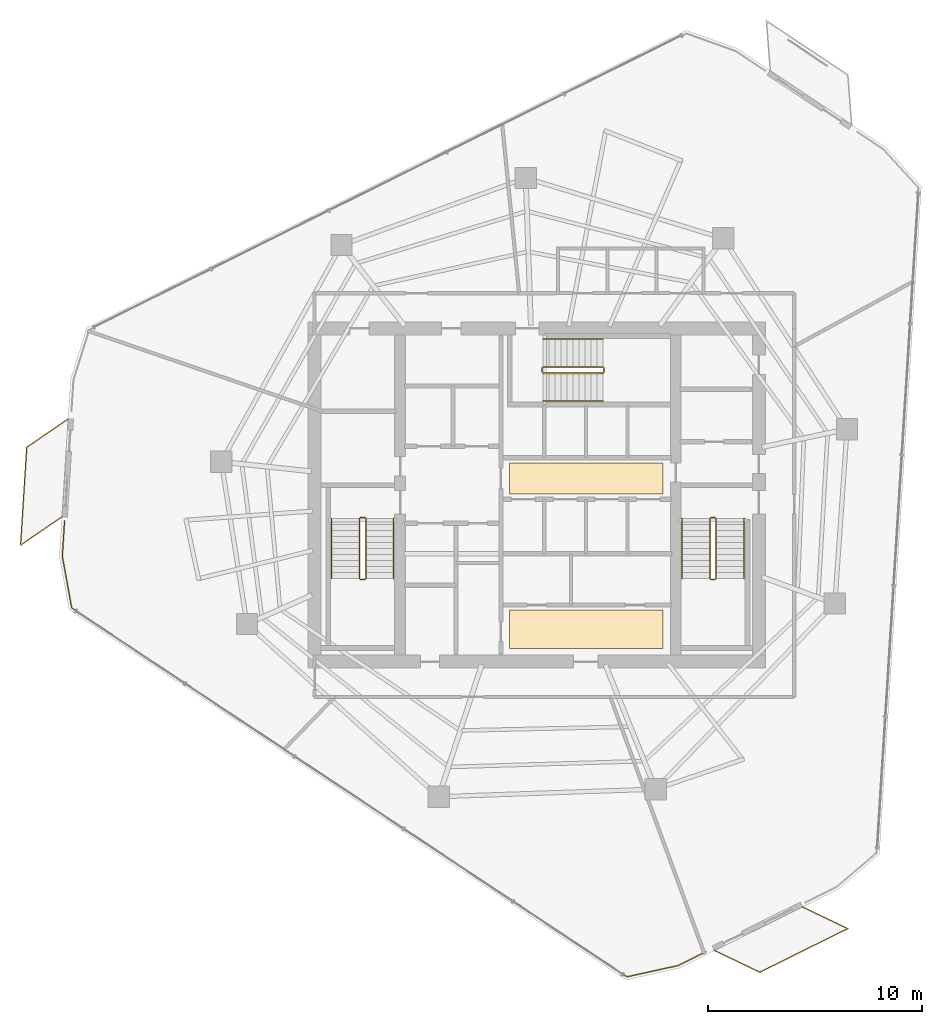
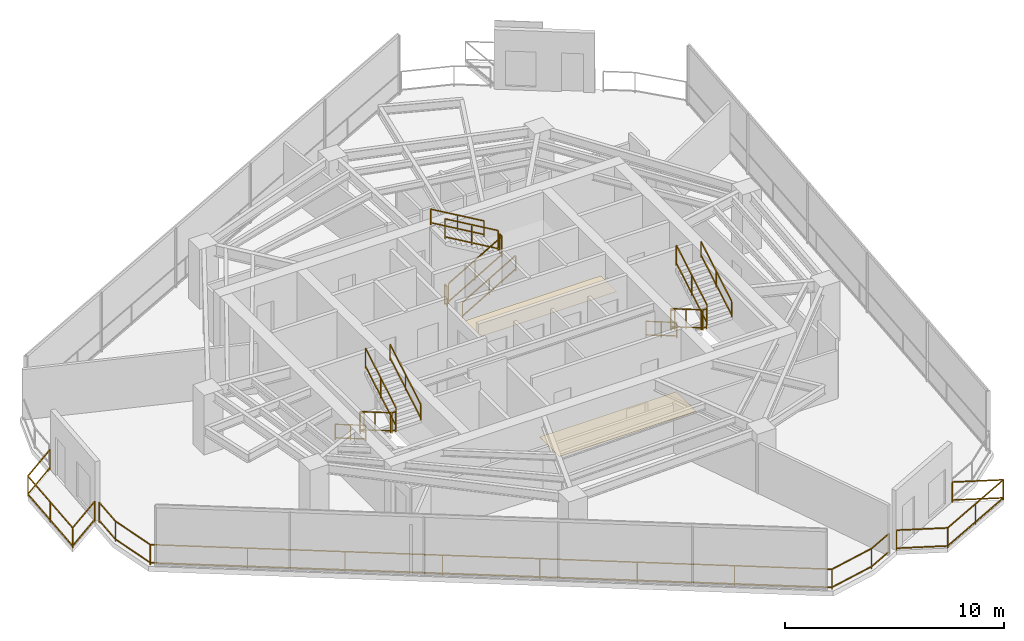
# One storey, part 20 of 21: 21 railings, 2 coverings.
"""IFC4 building model written with IfcOpenShell, lengths in metres."""

from ifc_helpers import new_model, si_unit, direction, frame, origin, origin_2d, place, context, subcontext, project, spatial, rectangle, extrude, material, layer, layer_set, type_object, element, save


model = new_model("IFC4")

# Units and contexts
model_context = context("Model", 3, precision=1e-05, world=origin(), true_north=direction((0.0, 1.0)))
body_context = subcontext(model_context, "Body", "Model", "MODEL_VIEW")
ifc_project = project(units=[si_unit("LENGTHUNIT", "METRE"), si_unit("AREAUNIT", "SQUARE_METRE"), si_unit("VOLUMEUNIT", "CUBIC_METRE"), si_unit("PLANEANGLEUNIT", "RADIAN"), si_unit("MASSUNIT", "GRAM", prefix="KILO")], contexts=[model_context])

# Site, building, storey
site_placement = place(None, origin())
site = spatial("IfcSite", under=ifc_project, at=site_placement, CompositionType="ELEMENT")
building_placement = place(site_placement, origin())
building = spatial("IfcBuilding", under=site, at=building_placement, Name="Qarnah Convention Tower", CompositionType="ELEMENT")
storey_placement = place(building_placement, frame((0.0, 0.0, 165.300048828125)))
storey = spatial("IfcBuildingStorey", under=building, at=storey_placement, Name="L44", CompositionType="ELEMENT", Elevation=165.300048828125)

# Coverings
ifc_material_1 = material(Name="Mineral fibre acoustic ceiling")
ifc_layer_1 = layer(ifc_material_1, 0.02001953125)
ifc_layer_set_1 = layer_set([ifc_layer_1], Name="Mineral fibre acoustic ceiling")
covering_type_1 = type_object("IfcCoveringType", Name="COV-CEIL-20", PredefinedType="CEILING", material=ifc_layer_set_1)
covering_1_placement = place(storey_placement, frame((39.52001953125, 27.179931640625, 2.2900390625), z_axis=(0.0, 0.0, 1.0), x_axis=(1.0, 0.0, 0.0)))
element("IfcCovering", 1, at=covering_1_placement, inside=storey, type_object=covering_type_1, Name="L44 lift lobby acoustic ceiling", PredefinedType="CEILING", context=body_context, shape_type="SweptSolid", body=[
    extrude(rectangle(XDim=7.199951171875, YDim=1.449951171875, at=origin_2d()), origin(), (0.0, 0.0, 1.0), 0.02001953125),
])
ifc_material_2 = material(Name="Porcelain stone floor tile", Category="masonry")
ifc_layer_2 = layer(ifc_material_2, 0.02001953125)
ifc_layer_set_2 = layer_set([ifc_layer_2], Name="Porcelain stone floor tile")
covering_type_2 = type_object("IfcCoveringType", Name="COV-FLOOR-20", PredefinedType="FLOORING", material=ifc_layer_set_2)
covering_2_placement = place(storey_placement, frame((39.52001953125, 20.1201171875, 0.0), z_axis=(0.0, 0.0, 1.0), x_axis=(1.0, 0.0, 0.0)))
element("IfcCovering", 2, at=covering_2_placement, inside=storey, type_object=covering_type_2, Name="L44 lift lobby porcelain stone flooring", PredefinedType="FLOORING", context=body_context, shape_type="SweptSolid", body=[
    extrude(rectangle(XDim=7.199951171875, YDim=1.800048828125, at=origin_2d()), origin(), (0.0, 0.0, 1.0), 0.02001953125),
])

# Railings
ifc_material_3 = material(Name="Black anodised aluminium", Category="aluminium")
railing_type_1 = type_object("IfcRailingType", Name="RL-EXT-GUARD-1150", PredefinedType="GUARDRAIL", material=ifc_material_3)
railing_1_placement = place(storey_placement, frame((45.12109375, 5.02001953125, 0.0)))
element("IfcRailing", 3, at=railing_1_placement, inside=storey, type_object=railing_type_1, Name="L44 slab-edge perimeter safety guard 03", PredefinedType="GUARDRAIL", context=body_context, shape_type="SweptSolid", body=[
    extrude(rectangle(XDim=0.048095703125, YDim=0.048095703125, at=origin_2d()), frame((0.0, 0.0, 1.1259765625), z_axis=(-0.895829303008, -0.444398312184, 0.0), x_axis=(0.444398312184, -0.895829303008, 0.0)), (0.0, 0.0, 1.0), 1.4580078125),
    extrude(rectangle(XDim=0.048095703125, YDim=0.048095703125, at=origin_2d()), frame((0.0, 0.0, 0.1201171875), z_axis=(-0.895829303008, -0.444398312184, 0.0), x_axis=(0.444398312184, -0.895829303008, 0.0)), (0.0, 0.0, 1.0), 1.4580078125),
    extrude(rectangle(XDim=0.048095703125, YDim=0.048095703125, at=origin_2d()), frame((-1.30615234375, -0.64794921875, 1.1259765625), z_axis=(-0.976651578651, -0.214829453097, 0.0), x_axis=(0.214829453097, -0.976651578651, 0.0)), (0.0, 0.0, 1.0), 2.448974609375),
    extrude(rectangle(XDim=0.048095703125, YDim=0.048095703125, at=origin_2d()), frame((-1.30615234375, -0.64794921875, 0.1201171875), z_axis=(-0.976651578651, -0.214829453097, 0.0), x_axis=(0.214829453097, -0.976651578651, 0.0)), (0.0, 0.0, 1.0), 2.448974609375),
    extrude(rectangle(XDim=0.048095703125, YDim=0.048095703125, at=origin_2d()), frame((-3.697998046875, -1.174072265625, 1.1259765625), z_axis=(-0.832918248037, 0.553396053552, 0.0), x_axis=(-0.553396053552, -0.832918248037, 0.0)), (0.0, 0.0, 1.0), 31.207275390625),
    extrude(rectangle(XDim=0.048095703125, YDim=0.048095703125, at=origin_2d()), frame((-3.697998046875, -1.174072265625, 0.1201171875), z_axis=(-0.832918248037, 0.553396053552, 0.0), x_axis=(-0.553396053552, -0.832918248037, 0.0)), (0.0, 0.0, 1.0), 31.207275390625),
    extrude(rectangle(XDim=0.048095703125, YDim=0.048095703125, at=origin_2d()), frame((-29.691162109375, 16.095947265625, 1.1259765625), z_axis=(-0.180499923672, 0.983574998439, 0.0), x_axis=(-0.983574998439, -0.180499923672, 0.0)), (0.0, 0.0, 1.0), 2.4482421875),
    extrude(rectangle(XDim=0.048095703125, YDim=0.048095703125, at=origin_2d()), frame((-29.691162109375, 16.095947265625, 0.1201171875), z_axis=(-0.180499923672, 0.983574998439, 0.0), x_axis=(-0.983574998439, -0.180499923672, 0.0)), (0.0, 0.0, 1.0), 2.4482421875),
    extrude(rectangle(XDim=0.048095703125, YDim=0.048095703125, at=origin_2d()), frame((-30.133056640625, 18.50390625, 1.1259765625), z_axis=(0.062851470926, 0.998022891823, 0.0), x_axis=(-0.998022891823, 0.062851470926, 0.0)), (0.0, 0.0, 1.0), 1.67041015625),
    extrude(rectangle(XDim=0.048095703125, YDim=0.048095703125, at=origin_2d()), frame((-30.133056640625, 18.50390625, 0.1201171875), z_axis=(0.062851470926, 0.998022891823, 0.0), x_axis=(-0.998022891823, 0.062851470926, 0.0)), (0.0, 0.0, 1.0), 1.67041015625),
    extrude(rectangle(XDim=0.0419921875, YDim=0.0419921875, at=origin_2d()), origin(), (0.0, 0.0, 1.0), 1.101806640625),
    extrude(rectangle(XDim=0.0419921875, YDim=0.0419921875, at=origin_2d()), frame((-1.30615234375, -0.64794921875, 0.0)), (0.0, 0.0, 1.0), 1.101806640625),
    extrude(rectangle(XDim=0.0419921875, YDim=0.0419921875, at=origin_2d()), frame((-3.697998046875, -1.174072265625, 0.0)), (0.0, 0.0, 1.0), 1.101806640625),
    extrude(rectangle(XDim=0.0419921875, YDim=0.0419921875, at=origin_2d()), frame((-7.411376953125, 1.29296875, 0.0)), (0.0, 0.0, 1.0), 1.101806640625),
    extrude(rectangle(XDim=0.0419921875, YDim=0.0419921875, at=origin_2d()), frame((-11.12451171875, 3.76025390625, 0.0)), (0.0, 0.0, 1.0), 1.101806640625),
    extrude(rectangle(XDim=0.0419921875, YDim=0.0419921875, at=origin_2d()), frame((-14.837890625, 6.227294921875, 0.0)), (0.0, 0.0, 1.0), 1.101806640625),
    extrude(rectangle(XDim=0.0419921875, YDim=0.0419921875, at=origin_2d()), frame((-18.55126953125, 8.694580078125, 0.0)), (0.0, 0.0, 1.0), 1.101806640625),
    extrude(rectangle(XDim=0.0419921875, YDim=0.0419921875, at=origin_2d()), frame((-22.2646484375, 11.16162109375, 0.0)), (0.0, 0.0, 1.0), 1.101806640625),
    extrude(rectangle(XDim=0.0419921875, YDim=0.0419921875, at=origin_2d()), frame((-25.977783203125, 13.62890625, 0.0)), (0.0, 0.0, 1.0), 1.101806640625),
    extrude(rectangle(XDim=0.0419921875, YDim=0.0419921875, at=origin_2d()), frame((-29.691162109375, 16.095947265625, 0.0)), (0.0, 0.0, 1.0), 1.101806640625),
    extrude(rectangle(XDim=0.0419921875, YDim=0.0419921875, at=origin_2d()), frame((-30.133056640625, 18.50390625, 0.0)), (0.0, 0.0, 1.0), 1.101806640625),
    extrude(rectangle(XDim=0.0419921875, YDim=0.0419921875, at=origin_2d()), frame((-30.028076171875, 20.1708984375, 0.0)), (0.0, 0.0, 1.0), 1.101806640625),
])
railing_2_placement = place(storey_placement, frame((14.968994140625, 25.373046875, 0.0)))
element("IfcRailing", 4, at=railing_2_placement, inside=storey, type_object=railing_type_1, Name="L44 balcony safety guard BAL-L44-C2", PredefinedType="GUARDRAIL", context=body_context, shape_type="SweptSolid", body=[
    extrude(rectangle(XDim=0.048095703125, YDim=0.048095703125, at=origin_2d()), frame((0.0, 0.0, 1.1259765625), z_axis=(-0.825320012172, -0.564665279177, 0.0), x_axis=(0.564665279177, -0.825320012172, 0.0)), (0.0, 0.0, 1.0), 2.34814453125),
    extrude(rectangle(XDim=0.048095703125, YDim=0.048095703125, at=origin_2d()), frame((0.0, 0.0, 0.1201171875), z_axis=(-0.825320012172, -0.564665279177, 0.0), x_axis=(0.564665279177, -0.825320012172, 0.0)), (0.0, 0.0, 1.0), 2.34814453125),
    extrude(rectangle(XDim=0.048095703125, YDim=0.048095703125, at=origin_2d()), frame((-1.93798828125, -1.325927734375, 1.1259765625), z_axis=(0.062854196844, 0.998022720152, 0.0), x_axis=(-0.998022720152, 0.062854196844, 0.0)), (0.0, 0.0, 1.0), 4.598876953125),
    extrude(rectangle(XDim=0.048095703125, YDim=0.048095703125, at=origin_2d()), frame((-1.93798828125, -1.325927734375, 0.1201171875), z_axis=(0.062854196844, 0.998022720152, 0.0), x_axis=(-0.998022720152, 0.062854196844, 0.0)), (0.0, 0.0, 1.0), 4.598876953125),
    extrude(rectangle(XDim=0.048095703125, YDim=0.048095703125, at=origin_2d()), frame((-1.64892578125, 3.263916015625, 1.1259765625), z_axis=(0.824944941435, 0.565213095745, 0.0), x_axis=(-0.565213095745, 0.824944941435, 0.0)), (0.0, 0.0, 1.0), 2.34814453125),
    extrude(rectangle(XDim=0.048095703125, YDim=0.048095703125, at=origin_2d()), frame((-1.64892578125, 3.263916015625, 0.1201171875), z_axis=(0.824944941435, 0.565213095745, 0.0), x_axis=(-0.565213095745, 0.824944941435, 0.0)), (0.0, 0.0, 1.0), 2.34814453125),
    extrude(rectangle(XDim=0.0419921875, YDim=0.0419921875, at=origin_2d()), origin(), (0.0, 0.0, 1.0), 1.101806640625),
    extrude(rectangle(XDim=0.0419921875, YDim=0.0419921875, at=origin_2d()), frame((-1.93798828125, -1.325927734375, 0.0)), (0.0, 0.0, 1.0), 1.101806640625),
    extrude(rectangle(XDim=0.0419921875, YDim=0.0419921875, at=origin_2d()), frame((-1.79345703125, 0.968994140625, 0.0)), (0.0, 0.0, 1.0), 1.101806640625),
    extrude(rectangle(XDim=0.0419921875, YDim=0.0419921875, at=origin_2d()), frame((-1.64892578125, 3.263916015625, 0.0)), (0.0, 0.0, 1.0), 1.101806640625),
    extrude(rectangle(XDim=0.0419921875, YDim=0.0419921875, at=origin_2d()), frame((0.2880859375, 4.591064453125, 0.0)), (0.0, 0.0, 1.0), 1.101806640625),
])
railing_3_placement = place(storey_placement, frame((49.64697265625, 7.115966796875, 0.0)))
element("IfcRailing", 5, at=railing_3_placement, inside=storey, type_object=railing_type_1, Name="L44 balcony safety guard BAL-L44-C3", PredefinedType="GUARDRAIL", context=body_context, shape_type="SweptSolid", body=[
    extrude(rectangle(XDim=0.048095703125, YDim=0.048095703125, at=origin_2d()), frame((0.0, 0.0, 1.1259765625), z_axis=(0.901729049296, -0.432301655856, 0.0), x_axis=(0.432301655856, 0.901729049296, 0.0)), (0.0, 0.0, 1.0), 2.34765625),
    extrude(rectangle(XDim=0.048095703125, YDim=0.048095703125, at=origin_2d()), frame((0.0, 0.0, 0.1201171875), z_axis=(0.901729049296, -0.432301655856, 0.0), x_axis=(0.432301655856, 0.901729049296, 0.0)), (0.0, 0.0, 1.0), 2.34765625),
    extrude(rectangle(XDim=0.048095703125, YDim=0.048095703125, at=origin_2d()), frame((2.116943359375, -1.014892578125, 1.1259765625), z_axis=(-0.895708013187, -0.444642727494, 0.0), x_axis=(0.444642727494, -0.895708013187, 0.0)), (0.0, 0.0, 1.0), 4.599609375),
    extrude(rectangle(XDim=0.048095703125, YDim=0.048095703125, at=origin_2d()), frame((2.116943359375, -1.014892578125, 0.1201171875), z_axis=(-0.895708013187, -0.444642727494, 0.0), x_axis=(0.444642727494, -0.895708013187, 0.0)), (0.0, 0.0, 1.0), 4.599609375),
    extrude(rectangle(XDim=0.048095703125, YDim=0.048095703125, at=origin_2d()), frame((-2.0029296875, -3.06005859375, 1.1259765625), z_axis=(-0.901947651046, 0.431845382947, 0.0), x_axis=(-0.431845382947, -0.901947651046, 0.0)), (0.0, 0.0, 1.0), 2.348388671875),
    extrude(rectangle(XDim=0.048095703125, YDim=0.048095703125, at=origin_2d()), frame((-2.0029296875, -3.06005859375, 0.1201171875), z_axis=(-0.901947651046, 0.431845382947, 0.0), x_axis=(-0.431845382947, -0.901947651046, 0.0)), (0.0, 0.0, 1.0), 2.348388671875),
    extrude(rectangle(XDim=0.0419921875, YDim=0.0419921875, at=origin_2d()), origin(), (0.0, 0.0, 1.0), 1.101806640625),
    extrude(rectangle(XDim=0.0419921875, YDim=0.0419921875, at=origin_2d()), frame((2.116943359375, -1.014892578125, 0.0)), (0.0, 0.0, 1.0), 1.101806640625),
    extrude(rectangle(XDim=0.0419921875, YDim=0.0419921875, at=origin_2d()), frame((0.05712890625, -2.03759765625, 0.0)), (0.0, 0.0, 1.0), 1.101806640625),
    extrude(rectangle(XDim=0.0419921875, YDim=0.0419921875, at=origin_2d()), frame((-2.0029296875, -3.06005859375, 0.0)), (0.0, 0.0, 1.0), 1.101806640625),
    extrude(rectangle(XDim=0.0419921875, YDim=0.0419921875, at=origin_2d()), frame((-4.12109375, -2.0458984375, 0.0)), (0.0, 0.0, 1.0), 1.101806640625),
])
ifc_material_4 = material(Name="Structural steel S355JR", Category="steel")
railing_type_2 = type_object("IfcRailingType", Name="RL-STAIR-GUARD-1150", PredefinedType="GUARDRAIL", material=ifc_material_4)
railing_4_placement = place(storey_placement, frame((28.89990234375, 25.300048828125, 0.16357421875)))
element("IfcRailing", 6, at=railing_4_placement, inside=storey, type_object=railing_type_2, Name="L44 ST-1 stair guard 1", PredefinedType="GUARDRAIL", context=body_context, shape_type="SweptSolid", body=[
    extrude(rectangle(XDim=0.048095703125, YDim=0.048095703125, at=origin_2d()), frame((0.0, 0.0, 1.1259765625), z_axis=(0.0, -0.863360870873, 0.504586966384), x_axis=(1.0, 0.0, 0.0)), (0.0, 0.0, 1.0), 3.2431640625),
    extrude(rectangle(XDim=0.048095703125, YDim=0.048095703125, at=origin_2d()), frame((0.0, 0.0, 0.1201171875), z_axis=(0.0, -0.863360870873, 0.504586966384), x_axis=(1.0, 0.0, 0.0)), (0.0, 0.0, 1.0), 3.2431640625),
    extrude(rectangle(XDim=0.0419921875, YDim=0.0419921875, at=origin_2d()), origin(), (0.0, 0.0, 1.0), 1.101806640625),
    extrude(rectangle(XDim=0.0419921875, YDim=0.0419921875, at=origin_2d()), frame((0.0, -1.39990234375, 0.818359375)), (0.0, 0.0, 1.0), 1.101806640625),
    extrude(rectangle(XDim=0.0419921875, YDim=0.0419921875, at=origin_2d()), frame((0.0, -2.800048828125, 1.636474609375)), (0.0, 0.0, 1.0), 1.101806640625),
])
railing_5_placement = place(storey_placement, frame((28.949951171875, 22.449951171875, 1.800048828125)))
element("IfcRailing", 7, at=railing_5_placement, inside=storey, type_object=railing_type_2, Name="L44 ST-1 stair guard 2", PredefinedType="GUARDRAIL", context=body_context, shape_type="SweptSolid", body=[
    extrude(rectangle(XDim=0.048095703125, YDim=0.048095703125, at=origin_2d()), frame((0.0, 0.0, 1.1259765625), z_axis=(1.0, 0.0, 0.0), x_axis=(0.0, 1.0, 0.0)), (0.0, 0.0, 1.0), 0.199951171875),
    extrude(rectangle(XDim=0.048095703125, YDim=0.048095703125, at=origin_2d()), frame((0.0, 0.0, 0.1201171875), z_axis=(1.0, 0.0, 0.0), x_axis=(0.0, 1.0, 0.0)), (0.0, 0.0, 1.0), 0.199951171875),
    extrude(rectangle(XDim=0.0419921875, YDim=0.0419921875, at=origin_2d()), origin(), (0.0, 0.0, 1.0), 1.101806640625),
    extrude(rectangle(XDim=0.0419921875, YDim=0.0419921875, at=origin_2d()), frame((0.199951171875, 0.0, 0.0)), (0.0, 0.0, 1.0), 1.101806640625),
])
railing_6_placement = place(storey_placement, frame((29.199951171875, 22.5, 1.963623046875)))
element("IfcRailing", 8, at=railing_6_placement, inside=storey, type_object=railing_type_2, Name="L44 ST-1 stair guard 3", PredefinedType="GUARDRAIL", context=body_context, shape_type="SweptSolid", body=[
    extrude(rectangle(XDim=0.048095703125, YDim=0.048095703125, at=origin_2d()), frame((0.0, 0.0, 1.1259765625), z_axis=(0.0, 0.863393664356, 0.504530851732), x_axis=(-1.0, 0.0, 0.0)), (0.0, 0.0, 1.0), 3.2431640625),
    extrude(rectangle(XDim=0.048095703125, YDim=0.048095703125, at=origin_2d()), frame((0.0, 0.0, 0.1201171875), z_axis=(0.0, 0.863393664356, 0.504530851732), x_axis=(-1.0, 0.0, 0.0)), (0.0, 0.0, 1.0), 3.2431640625),
    extrude(rectangle(XDim=0.0419921875, YDim=0.0419921875, at=origin_2d()), origin(), (0.0, 0.0, 1.0), 1.101806640625),
    extrude(rectangle(XDim=0.0419921875, YDim=0.0419921875, at=origin_2d()), frame((0.0, 1.39990234375, 0.818115234375)), (0.0, 0.0, 1.0), 1.101806640625),
    extrude(rectangle(XDim=0.0419921875, YDim=0.0419921875, at=origin_2d()), frame((0.0, 2.800048828125, 1.63623046875)), (0.0, 0.0, 1.0), 1.101806640625),
])
railing_7_placement = place(storey_placement, frame((28.949951171875, 25.35009765625, 0.0)))
element("IfcRailing", 9, at=railing_7_placement, inside=storey, type_object=railing_type_2, Name="L44 ST-1 stair guard 4", PredefinedType="GUARDRAIL", context=body_context, shape_type="SweptSolid", body=[
    extrude(rectangle(XDim=0.048095703125, YDim=0.048095703125, at=origin_2d()), frame((0.0, 0.0, 1.1259765625), z_axis=(1.0, 0.0, 0.0), x_axis=(0.0, 1.0, 0.0)), (0.0, 0.0, 1.0), 0.199951171875),
    extrude(rectangle(XDim=0.048095703125, YDim=0.048095703125, at=origin_2d()), frame((0.0, 0.0, 0.1201171875), z_axis=(1.0, 0.0, 0.0), x_axis=(0.0, 1.0, 0.0)), (0.0, 0.0, 1.0), 0.199951171875),
    extrude(rectangle(XDim=0.0419921875, YDim=0.0419921875, at=origin_2d()), origin(), (0.0, 0.0, 1.0), 1.101806640625),
    extrude(rectangle(XDim=0.0419921875, YDim=0.0419921875, at=origin_2d()), frame((0.199951171875, 0.0, 0.0)), (0.0, 0.0, 1.0), 1.101806640625),
])
railing_8_placement = place(storey_placement, frame((45.300048828125, 25.300048828125, 0.16357421875)))
element("IfcRailing", 10, at=railing_8_placement, inside=storey, type_object=railing_type_2, Name="L44 ST-2 stair guard 1", PredefinedType="GUARDRAIL", context=body_context, shape_type="SweptSolid", body=[
    extrude(rectangle(XDim=0.048095703125, YDim=0.048095703125, at=origin_2d()), frame((0.0, 0.0, 1.1259765625), z_axis=(0.0, -0.863360870873, 0.504586966384), x_axis=(1.0, 0.0, 0.0)), (0.0, 0.0, 1.0), 3.2431640625),
    extrude(rectangle(XDim=0.048095703125, YDim=0.048095703125, at=origin_2d()), frame((0.0, 0.0, 0.1201171875), z_axis=(0.0, -0.863360870873, 0.504586966384), x_axis=(1.0, 0.0, 0.0)), (0.0, 0.0, 1.0), 3.2431640625),
    extrude(rectangle(XDim=0.0419921875, YDim=0.0419921875, at=origin_2d()), origin(), (0.0, 0.0, 1.0), 1.101806640625),
    extrude(rectangle(XDim=0.0419921875, YDim=0.0419921875, at=origin_2d()), frame((0.0, -1.39990234375, 0.818359375)), (0.0, 0.0, 1.0), 1.101806640625),
    extrude(rectangle(XDim=0.0419921875, YDim=0.0419921875, at=origin_2d()), frame((0.0, -2.800048828125, 1.636474609375)), (0.0, 0.0, 1.0), 1.101806640625),
])
railing_9_placement = place(storey_placement, frame((45.35009765625, 22.449951171875, 1.800048828125)))
element("IfcRailing", 11, at=railing_9_placement, inside=storey, type_object=railing_type_2, Name="L44 ST-2 stair guard 2", PredefinedType="GUARDRAIL", context=body_context, shape_type="SweptSolid", body=[
    extrude(rectangle(XDim=0.048095703125, YDim=0.048095703125, at=origin_2d()), frame((0.0, 0.0, 1.1259765625), z_axis=(1.0, 0.0, 0.0), x_axis=(0.0, 1.0, 0.0)), (0.0, 0.0, 1.0), 0.199951171875),
    extrude(rectangle(XDim=0.048095703125, YDim=0.048095703125, at=origin_2d()), frame((0.0, 0.0, 0.1201171875), z_axis=(1.0, 0.0, 0.0), x_axis=(0.0, 1.0, 0.0)), (0.0, 0.0, 1.0), 0.199951171875),
    extrude(rectangle(XDim=0.0419921875, YDim=0.0419921875, at=origin_2d()), origin(), (0.0, 0.0, 1.0), 1.101806640625),
    extrude(rectangle(XDim=0.0419921875, YDim=0.0419921875, at=origin_2d()), frame((0.199951171875, 0.0, 0.0)), (0.0, 0.0, 1.0), 1.101806640625),
])
railing_10_placement = place(storey_placement, frame((45.60009765625, 22.5, 1.963623046875)))
element("IfcRailing", 12, at=railing_10_placement, inside=storey, type_object=railing_type_2, Name="L44 ST-2 stair guard 3", PredefinedType="GUARDRAIL", context=body_context, shape_type="SweptSolid", body=[
    extrude(rectangle(XDim=0.048095703125, YDim=0.048095703125, at=origin_2d()), frame((0.0, 0.0, 1.1259765625), z_axis=(0.0, 0.863393664356, 0.504530851732), x_axis=(-1.0, 0.0, 0.0)), (0.0, 0.0, 1.0), 3.2431640625),
    extrude(rectangle(XDim=0.048095703125, YDim=0.048095703125, at=origin_2d()), frame((0.0, 0.0, 0.1201171875), z_axis=(0.0, 0.863393664356, 0.504530851732), x_axis=(-1.0, 0.0, 0.0)), (0.0, 0.0, 1.0), 3.2431640625),
    extrude(rectangle(XDim=0.0419921875, YDim=0.0419921875, at=origin_2d()), origin(), (0.0, 0.0, 1.0), 1.101806640625),
    extrude(rectangle(XDim=0.0419921875, YDim=0.0419921875, at=origin_2d()), frame((0.0, 1.39990234375, 0.818115234375)), (0.0, 0.0, 1.0), 1.101806640625),
    extrude(rectangle(XDim=0.0419921875, YDim=0.0419921875, at=origin_2d()), frame((0.0, 2.800048828125, 1.63623046875)), (0.0, 0.0, 1.0), 1.101806640625),
])
railing_11_placement = place(storey_placement, frame((45.35009765625, 25.35009765625, 0.0)))
element("IfcRailing", 13, at=railing_11_placement, inside=storey, type_object=railing_type_2, Name="L44 ST-2 stair guard 4", PredefinedType="GUARDRAIL", context=body_context, shape_type="SweptSolid", body=[
    extrude(rectangle(XDim=0.048095703125, YDim=0.048095703125, at=origin_2d()), frame((0.0, 0.0, 1.1259765625), z_axis=(1.0, 0.0, 0.0), x_axis=(0.0, 1.0, 0.0)), (0.0, 0.0, 1.0), 0.199951171875),
    extrude(rectangle(XDim=0.048095703125, YDim=0.048095703125, at=origin_2d()), frame((0.0, 0.0, 0.1201171875), z_axis=(1.0, 0.0, 0.0), x_axis=(0.0, 1.0, 0.0)), (0.0, 0.0, 1.0), 0.199951171875),
    extrude(rectangle(XDim=0.0419921875, YDim=0.0419921875, at=origin_2d()), origin(), (0.0, 0.0, 1.0), 1.101806640625),
    extrude(rectangle(XDim=0.0419921875, YDim=0.0419921875, at=origin_2d()), frame((0.199951171875, 0.0, 0.0)), (0.0, 0.0, 1.0), 1.101806640625),
])
railing_12_placement = place(storey_placement, frame((37.5, 32.10009765625, 0.16357421875)))
element("IfcRailing", 14, at=railing_12_placement, inside=storey, type_object=railing_type_2, Name="L44 ST-3 stair guard 1", PredefinedType="GUARDRAIL", context=body_context, shape_type="SweptSolid", body=[
    extrude(rectangle(XDim=0.048095703125, YDim=0.048095703125, at=origin_2d()), frame((0.0, 0.0, 1.1259765625), z_axis=(0.863360870873, 0.0, 0.504586966384), x_axis=(0.0, 1.0, 0.0)), (0.0, 0.0, 1.0), 3.2431640625),
    extrude(rectangle(XDim=0.048095703125, YDim=0.048095703125, at=origin_2d()), frame((0.0, 0.0, 0.1201171875), z_axis=(0.863360870873, 0.0, 0.504586966384), x_axis=(0.0, 1.0, 0.0)), (0.0, 0.0, 1.0), 3.2431640625),
    extrude(rectangle(XDim=0.0419921875, YDim=0.0419921875, at=origin_2d()), origin(), (0.0, 0.0, 1.0), 1.101806640625),
    extrude(rectangle(XDim=0.0419921875, YDim=0.0419921875, at=origin_2d()), frame((1.39990234375, 0.0, 0.818359375)), (0.0, 0.0, 1.0), 1.101806640625),
    extrude(rectangle(XDim=0.0419921875, YDim=0.0419921875, at=origin_2d()), frame((2.800048828125, 0.0, 1.636474609375)), (0.0, 0.0, 1.0), 1.101806640625),
])
railing_13_placement = place(storey_placement, frame((40.35009765625, 32.14990234375, 1.800048828125)))
element("IfcRailing", 15, at=railing_13_placement, inside=storey, type_object=railing_type_2, Name="L44 ST-3 stair guard 2", PredefinedType="GUARDRAIL", context=body_context, shape_type="SweptSolid", body=[
    extrude(rectangle(XDim=0.048095703125, YDim=0.048095703125, at=origin_2d()), frame((0.0, 0.0, 1.1259765625), z_axis=(0.0, 1.0, 0.0), x_axis=(-1.0, 0.0, 0.0)), (0.0, 0.0, 1.0), 0.2001953125),
    extrude(rectangle(XDim=0.048095703125, YDim=0.048095703125, at=origin_2d()), frame((0.0, 0.0, 0.1201171875), z_axis=(0.0, 1.0, 0.0), x_axis=(-1.0, 0.0, 0.0)), (0.0, 0.0, 1.0), 0.2001953125),
    extrude(rectangle(XDim=0.0419921875, YDim=0.0419921875, at=origin_2d()), origin(), (0.0, 0.0, 1.0), 1.101806640625),
    extrude(rectangle(XDim=0.0419921875, YDim=0.0419921875, at=origin_2d()), frame((0.0, 0.2001953125, 0.0)), (0.0, 0.0, 1.0), 1.101806640625),
])
railing_14_placement = place(storey_placement, frame((40.300048828125, 32.39990234375, 1.963623046875)))
element("IfcRailing", 16, at=railing_14_placement, inside=storey, type_object=railing_type_2, Name="L44 ST-3 stair guard 3", PredefinedType="GUARDRAIL", context=body_context, shape_type="SweptSolid", body=[
    extrude(rectangle(XDim=0.048095703125, YDim=0.048095703125, at=origin_2d()), frame((0.0, 0.0, 1.1259765625), z_axis=(-0.863393664356, 0.0, 0.504530851732), x_axis=(0.0, -1.0, 0.0)), (0.0, 0.0, 1.0), 3.2431640625),
    extrude(rectangle(XDim=0.048095703125, YDim=0.048095703125, at=origin_2d()), frame((0.0, 0.0, 0.1201171875), z_axis=(-0.863393664356, 0.0, 0.504530851732), x_axis=(0.0, -1.0, 0.0)), (0.0, 0.0, 1.0), 3.2431640625),
    extrude(rectangle(XDim=0.0419921875, YDim=0.0419921875, at=origin_2d()), origin(), (0.0, 0.0, 1.0), 1.101806640625),
    extrude(rectangle(XDim=0.0419921875, YDim=0.0419921875, at=origin_2d()), frame((-1.39990234375, 0.0, 0.818115234375)), (0.0, 0.0, 1.0), 1.101806640625),
    extrude(rectangle(XDim=0.0419921875, YDim=0.0419921875, at=origin_2d()), frame((-2.800048828125, 0.0, 1.63623046875)), (0.0, 0.0, 1.0), 1.101806640625),
])
railing_15_placement = place(storey_placement, frame((37.449951171875, 32.14990234375, 0.0)))
element("IfcRailing", 17, at=railing_15_placement, inside=storey, type_object=railing_type_2, Name="L44 ST-3 stair guard 4", PredefinedType="GUARDRAIL", context=body_context, shape_type="SweptSolid", body=[
    extrude(rectangle(XDim=0.048095703125, YDim=0.048095703125, at=origin_2d()), frame((0.0, 0.0, 1.1259765625), z_axis=(0.0, 1.0, 0.0), x_axis=(-1.0, 0.0, 0.0)), (0.0, 0.0, 1.0), 0.2001953125),
    extrude(rectangle(XDim=0.048095703125, YDim=0.048095703125, at=origin_2d()), frame((0.0, 0.0, 0.1201171875), z_axis=(0.0, 1.0, 0.0), x_axis=(-1.0, 0.0, 0.0)), (0.0, 0.0, 1.0), 0.2001953125),
    extrude(rectangle(XDim=0.0419921875, YDim=0.0419921875, at=origin_2d()), origin(), (0.0, 0.0, 1.0), 1.101806640625),
    extrude(rectangle(XDim=0.0419921875, YDim=0.0419921875, at=origin_2d()), frame((0.0, 0.2001953125, 0.0)), (0.0, 0.0, 1.0), 1.101806640625),
])
railing_type_3 = type_object("IfcRailingType", Name="RL-STAIR-HAND-900", PredefinedType="HANDRAIL", material=ifc_material_4)
railing_16_placement = place(storey_placement, frame((27.60009765625, 25.300048828125, 0.16357421875)))
element("IfcRailing", 18, at=railing_16_placement, inside=storey, type_object=railing_type_3, Name="L44 ST-1 stair handrail 1", PredefinedType="HANDRAIL", context=body_context, shape_type="SweptSolid", body=[
    extrude(rectangle(XDim=0.048095703125, YDim=0.048095703125, at=origin_2d()), frame((0.0, 0.0, 0.8759765625), z_axis=(0.0, -0.863360870873, 0.504586966384), x_axis=(1.0, 0.0, 0.0)), (0.0, 0.0, 1.0), 3.2431640625),
    extrude(rectangle(XDim=0.048095703125, YDim=0.048095703125, at=origin_2d()), frame((0.0, 0.0, 0.1201171875), z_axis=(0.0, -0.863360870873, 0.504586966384), x_axis=(1.0, 0.0, 0.0)), (0.0, 0.0, 1.0), 3.2431640625),
    extrude(rectangle(XDim=0.0419921875, YDim=0.0419921875, at=origin_2d()), origin(), (0.0, 0.0, 1.0), 0.851806640625),
    extrude(rectangle(XDim=0.0419921875, YDim=0.0419921875, at=origin_2d()), frame((0.0, -1.39990234375, 0.818359375)), (0.0, 0.0, 1.0), 0.851806640625),
    extrude(rectangle(XDim=0.0419921875, YDim=0.0419921875, at=origin_2d()), frame((0.0, -2.800048828125, 1.636474609375)), (0.0, 0.0, 1.0), 0.851806640625),
])
railing_17_placement = place(storey_placement, frame((30.5, 22.5, 1.963623046875)))
element("IfcRailing", 19, at=railing_17_placement, inside=storey, type_object=railing_type_3, Name="L44 ST-1 stair handrail 2", PredefinedType="HANDRAIL", context=body_context, shape_type="SweptSolid", body=[
    extrude(rectangle(XDim=0.048095703125, YDim=0.048095703125, at=origin_2d()), frame((0.0, 0.0, 0.8759765625), z_axis=(0.0, 0.863393664356, 0.504530851732), x_axis=(-1.0, 0.0, 0.0)), (0.0, 0.0, 1.0), 3.2431640625),
    extrude(rectangle(XDim=0.048095703125, YDim=0.048095703125, at=origin_2d()), frame((0.0, 0.0, 0.1201171875), z_axis=(0.0, 0.863393664356, 0.504530851732), x_axis=(-1.0, 0.0, 0.0)), (0.0, 0.0, 1.0), 3.2431640625),
    extrude(rectangle(XDim=0.0419921875, YDim=0.0419921875, at=origin_2d()), origin(), (0.0, 0.0, 1.0), 0.851806640625),
    extrude(rectangle(XDim=0.0419921875, YDim=0.0419921875, at=origin_2d()), frame((0.0, 1.39990234375, 0.818115234375)), (0.0, 0.0, 1.0), 0.851806640625),
    extrude(rectangle(XDim=0.0419921875, YDim=0.0419921875, at=origin_2d()), frame((0.0, 2.800048828125, 1.63623046875)), (0.0, 0.0, 1.0), 0.851806640625),
])
railing_18_placement = place(storey_placement, frame((44.0, 25.300048828125, 0.16357421875)))
element("IfcRailing", 20, at=railing_18_placement, inside=storey, type_object=railing_type_3, Name="L44 ST-2 stair handrail 1", PredefinedType="HANDRAIL", context=body_context, shape_type="SweptSolid", body=[
    extrude(rectangle(XDim=0.048095703125, YDim=0.048095703125, at=origin_2d()), frame((0.0, 0.0, 0.8759765625), z_axis=(0.0, -0.863360870873, 0.504586966384), x_axis=(1.0, 0.0, 0.0)), (0.0, 0.0, 1.0), 3.2431640625),
    extrude(rectangle(XDim=0.048095703125, YDim=0.048095703125, at=origin_2d()), frame((0.0, 0.0, 0.1201171875), z_axis=(0.0, -0.863360870873, 0.504586966384), x_axis=(1.0, 0.0, 0.0)), (0.0, 0.0, 1.0), 3.2431640625),
    extrude(rectangle(XDim=0.0419921875, YDim=0.0419921875, at=origin_2d()), origin(), (0.0, 0.0, 1.0), 0.851806640625),
    extrude(rectangle(XDim=0.0419921875, YDim=0.0419921875, at=origin_2d()), frame((0.0, -1.39990234375, 0.818359375)), (0.0, 0.0, 1.0), 0.851806640625),
    extrude(rectangle(XDim=0.0419921875, YDim=0.0419921875, at=origin_2d()), frame((0.0, -2.800048828125, 1.636474609375)), (0.0, 0.0, 1.0), 0.851806640625),
])
railing_19_placement = place(storey_placement, frame((46.89990234375, 22.5, 1.963623046875)))
element("IfcRailing", 21, at=railing_19_placement, inside=storey, type_object=railing_type_3, Name="L44 ST-2 stair handrail 2", PredefinedType="HANDRAIL", context=body_context, shape_type="SweptSolid", body=[
    extrude(rectangle(XDim=0.048095703125, YDim=0.048095703125, at=origin_2d()), frame((0.0, 0.0, 0.8759765625), z_axis=(0.0, 0.863393664356, 0.504530851732), x_axis=(-1.0, 0.0, 0.0)), (0.0, 0.0, 1.0), 3.2431640625),
    extrude(rectangle(XDim=0.048095703125, YDim=0.048095703125, at=origin_2d()), frame((0.0, 0.0, 0.1201171875), z_axis=(0.0, 0.863393664356, 0.504530851732), x_axis=(-1.0, 0.0, 0.0)), (0.0, 0.0, 1.0), 3.2431640625),
    extrude(rectangle(XDim=0.0419921875, YDim=0.0419921875, at=origin_2d()), origin(), (0.0, 0.0, 1.0), 0.851806640625),
    extrude(rectangle(XDim=0.0419921875, YDim=0.0419921875, at=origin_2d()), frame((0.0, 1.39990234375, 0.818115234375)), (0.0, 0.0, 1.0), 0.851806640625),
    extrude(rectangle(XDim=0.0419921875, YDim=0.0419921875, at=origin_2d()), frame((0.0, 2.800048828125, 1.63623046875)), (0.0, 0.0, 1.0), 0.851806640625),
])
railing_20_placement = place(storey_placement, frame((37.5, 30.800048828125, 0.16357421875)))
element("IfcRailing", 22, at=railing_20_placement, inside=storey, type_object=railing_type_3, Name="L44 ST-3 stair handrail 1", PredefinedType="HANDRAIL", context=body_context, shape_type="SweptSolid", body=[
    extrude(rectangle(XDim=0.048095703125, YDim=0.048095703125, at=origin_2d()), frame((0.0, 0.0, 0.8759765625), z_axis=(0.863360870873, 0.0, 0.504586966384), x_axis=(0.0, 1.0, 0.0)), (0.0, 0.0, 1.0), 3.2431640625),
    extrude(rectangle(XDim=0.048095703125, YDim=0.048095703125, at=origin_2d()), frame((0.0, 0.0, 0.1201171875), z_axis=(0.863360870873, 0.0, 0.504586966384), x_axis=(0.0, 1.0, 0.0)), (0.0, 0.0, 1.0), 3.2431640625),
    extrude(rectangle(XDim=0.0419921875, YDim=0.0419921875, at=origin_2d()), origin(), (0.0, 0.0, 1.0), 0.851806640625),
    extrude(rectangle(XDim=0.0419921875, YDim=0.0419921875, at=origin_2d()), frame((1.39990234375, 0.0, 0.818359375)), (0.0, 0.0, 1.0), 0.851806640625),
    extrude(rectangle(XDim=0.0419921875, YDim=0.0419921875, at=origin_2d()), frame((2.800048828125, 0.0, 1.636474609375)), (0.0, 0.0, 1.0), 0.851806640625),
])
railing_21_placement = place(storey_placement, frame((40.300048828125, 33.699951171875, 1.963623046875)))
element("IfcRailing", 23, at=railing_21_placement, inside=storey, type_object=railing_type_3, Name="L44 ST-3 stair handrail 2", PredefinedType="HANDRAIL", context=body_context, shape_type="SweptSolid", body=[
    extrude(rectangle(XDim=0.048095703125, YDim=0.048095703125, at=origin_2d()), frame((0.0, 0.0, 0.8759765625), z_axis=(-0.863393664356, 0.0, 0.504530851732), x_axis=(0.0, -1.0, 0.0)), (0.0, 0.0, 1.0), 3.2431640625),
    extrude(rectangle(XDim=0.048095703125, YDim=0.048095703125, at=origin_2d()), frame((0.0, 0.0, 0.1201171875), z_axis=(-0.863393664356, 0.0, 0.504530851732), x_axis=(0.0, -1.0, 0.0)), (0.0, 0.0, 1.0), 3.2431640625),
    extrude(rectangle(XDim=0.0419921875, YDim=0.0419921875, at=origin_2d()), origin(), (0.0, 0.0, 1.0), 0.851806640625),
    extrude(rectangle(XDim=0.0419921875, YDim=0.0419921875, at=origin_2d()), frame((-1.39990234375, 0.0, 0.818115234375)), (0.0, 0.0, 1.0), 0.851806640625),
    extrude(rectangle(XDim=0.0419921875, YDim=0.0419921875, at=origin_2d()), frame((-2.800048828125, 0.0, 1.63623046875)), (0.0, 0.0, 1.0), 0.851806640625),
])

save(model, "model.ifc")
